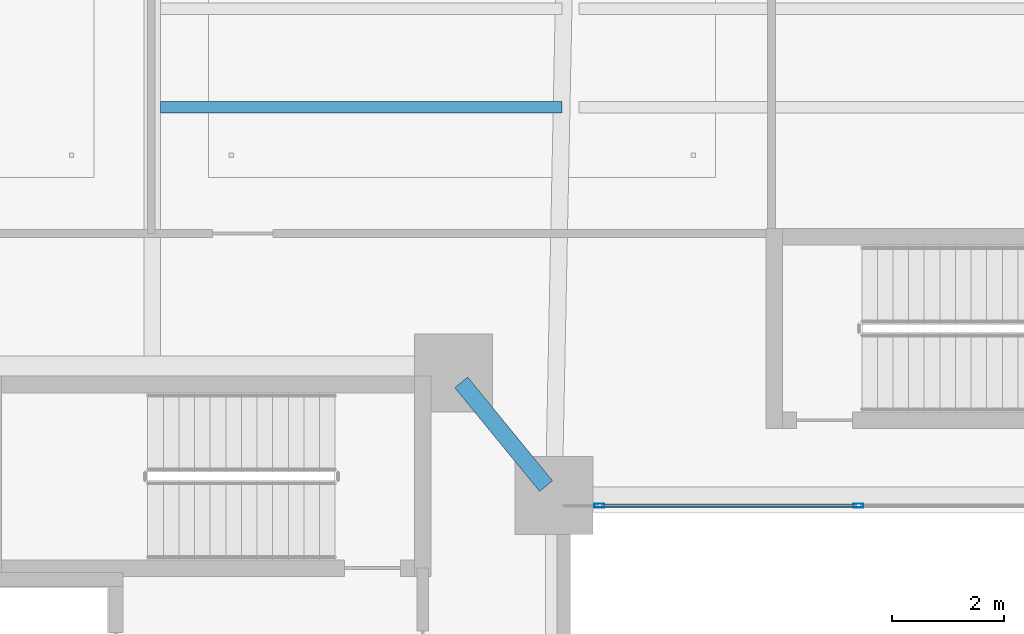
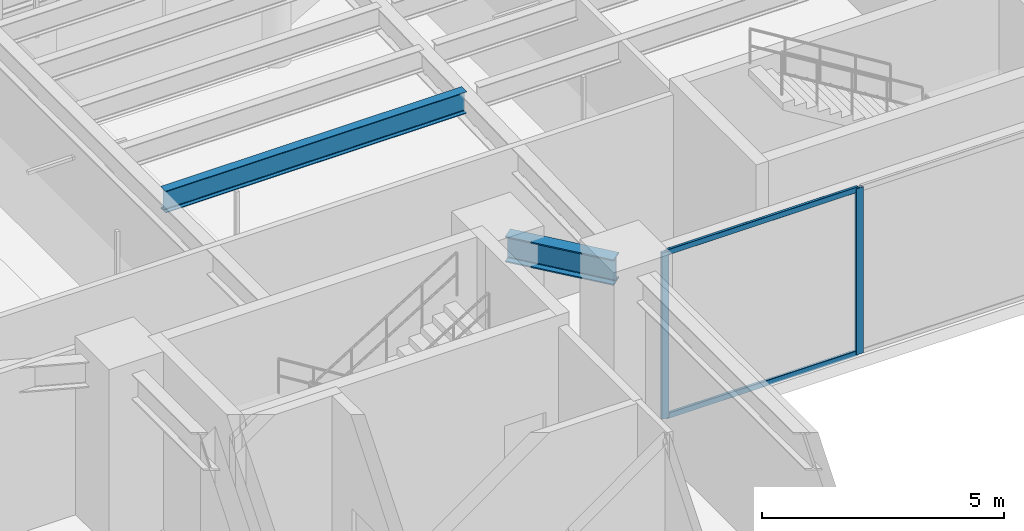
# One storey, part 20 of 39: 4 members, 2 beams, 1 element without a shape of its own.
"""IFC4 building model written with IfcOpenShell, lengths in metres."""

from ifc_helpers import new_model, si_unit, direction, frame, origin, origin_2d, place, context, subcontext, project, spatial, hollow_rectangle, i_section, extrude, material, layer, layer_set, material_profile, profile_set, type_object, element, aggregate, save


model = new_model("IFC4")

# Units and contexts
model_context = context("Model", 3, precision=1e-05, world=origin(), true_north=direction((0.0, 1.0)))
body_context = subcontext(model_context, "Body", "Model", "MODEL_VIEW")
ifc_project = project(units=[si_unit("LENGTHUNIT", "METRE"), si_unit("AREAUNIT", "SQUARE_METRE"), si_unit("VOLUMEUNIT", "CUBIC_METRE"), si_unit("PLANEANGLEUNIT", "RADIAN"), si_unit("MASSUNIT", "GRAM", prefix="KILO")], contexts=[model_context])

# Site, building, storey
site_placement = place(None, origin())
site = spatial("IfcSite", under=ifc_project, at=site_placement, CompositionType="ELEMENT")
building_placement = place(site_placement, origin())
building = spatial("IfcBuilding", under=site, at=building_placement, Name="Tarnavaz Court Tower", CompositionType="ELEMENT")
storey_placement = place(building_placement, frame((0.0, 0.0, 68.699951171875)))
storey = spatial("IfcBuildingStorey", under=building, at=storey_placement, Name="L18", CompositionType="ELEMENT", Elevation=68.699951171875)

# Beams
ifc_material_1 = material(Name="Steel S355", Category="steel")
ifc_material_profile_1 = material_profile(ifc_material_1, i_section(OverallWidth=0.300048828125, OverallDepth=0.64990234375, WebThickness=0.01611328125, FlangeThickness=0.031005859375, FilletRadius=0.027099609375, at=origin_2d()), Name="HEB 650")
ifc_profile_set_1 = profile_set([ifc_material_profile_1], Name="Steel S355")
beam_type_1 = type_object("IfcBeamType", Name="BM-G-HEB650", PredefinedType="USERDEFINED", material=ifc_profile_set_1)
beam_1_placement = place(storey_placement, frame((-9.460693359375, 9.82958984375, 3.875), z_axis=(0.633282058357, -0.773921077735, 0.0), x_axis=(0.773921077735, 0.633282058357, 0.0)))
element("IfcBeam", 1, at=beam_1_placement, inside=storey, type_object=beam_type_1, Name="L18 Beam IN-CW-NI-IW-NW", ObjectType="GIRDER", PredefinedType="USERDEFINED", context=body_context, shape_type="SweptSolid", body=[
    extrude(i_section(OverallWidth=0.300048828125, OverallDepth=0.64990234375, WebThickness=0.01611328125, FlangeThickness=0.031005859375, FilletRadius=0.027099609375, at=origin_2d()), origin(), (0.0, 0.0, 1.0), 2.402587890625),
])
ifc_material_profile_2 = material_profile(ifc_material_1, i_section(OverallWidth=0.2099609375, OverallDepth=0.550048828125, WebThickness=0.010986328125, FlangeThickness=0.01708984375, FilletRadius=0.02392578125, at=origin_2d()), Name="IPE 550")
ifc_profile_set_2 = profile_set([ifc_material_profile_2], Name="Steel S355")
beam_type_2 = type_object("IfcBeamType", Name="BM-J-IPE550", PredefinedType="JOIST", material=ifc_profile_set_2)
beam_2_placement = place(storey_placement, frame((-14.85009765625, 14.763916015625, 3.925048828125), z_axis=(1.0, 0.0, 0.0), x_axis=(0.0, 1.0, 0.0)))
element("IfcBeam", 2, at=beam_2_placement, inside=storey, type_object=beam_type_2, Name="L18 Beam JN1-1", PredefinedType="JOIST", context=body_context, shape_type="SweptSolid", body=[
    extrude(i_section(OverallWidth=0.2099609375, OverallDepth=0.550048828125, WebThickness=0.010986328125, FlangeThickness=0.01708984375, FilletRadius=0.02392578125, at=origin_2d()), origin(), (0.0, 0.0, 1.0), 7.2001953125),
])

# Curtain wall, members
ifc_material_2 = material(Name="Anodised Aluminium 6063-T6 and Solar Low-E Glazing", Category="aluminium")
ifc_layer = layer(ifc_material_2, 0.139892578125)
ifc_layer_set = layer_set([ifc_layer], Name="Anodised Aluminium 6063-T6 and Solar Low-E Glazing")
curtain_wall_type = type_object("IfcCurtainWallType", Name="CW-SYS-04", PredefinedType="NOTDEFINED", material=ifc_layer_set)
curtain_wall_placement = place(storey_placement, origin())
curtain_wall = element("IfcCurtainWall", 3, at=curtain_wall_placement, inside=storey, type_object=curtain_wall_type, Name="L18 Badgir Courtyard Curtain Wall N", PredefinedType="NOTDEFINED")
ifc_material_3 = material(Name="Anodised Aluminium 6063-T6", Category="aluminium")
ifc_material_profile_3 = material_profile(ifc_material_3, hollow_rectangle(XDim=0.074951171875, YDim=0.179931640625, WallThickness=0.0048828125, InnerFilletRadius=0.0048828125, OuterFilletRadius=0.010009765625, at=origin_2d()), Name="ALU RHS 180X75X5")
ifc_profile_set_3 = profile_set([ifc_material_profile_3], Name="Anodised Aluminium 6063-T6")
member_type_1 = type_object("IfcMemberType", Name="CW-MUL-180", PredefinedType="MULLION", material=ifc_profile_set_3)
member_1_placement = place(storey_placement, frame((-2.340087890625, 7.6201171875, 0.0), z_axis=(0.0, 0.0, 1.0), x_axis=(0.0, -1.0, 0.0)))
member_1 = element("IfcMember", 4, at=member_1_placement, type_object=member_type_1, Name="CW mullion 3", PredefinedType="MULLION", context=body_context, shape_type="SweptSolid", body=[
    extrude(hollow_rectangle(XDim=0.074951171875, YDim=0.179931640625, WallThickness=0.0048828125, InnerFilletRadius=0.0048828125, OuterFilletRadius=0.010009765625, at=origin_2d()), origin(), (0.0, 0.0, 1.0), 4.199951171875),
])
member_2_placement = place(storey_placement, frame((-6.982421875, 7.6201171875, 0.0), z_axis=(0.0, 0.0, 1.0), x_axis=(0.0, -1.0, 0.0)))
member_2 = element("IfcMember", 5, at=member_2_placement, type_object=member_type_1, Name="CW mullion 4", PredefinedType="MULLION", context=body_context, shape_type="SweptSolid", body=[
    extrude(hollow_rectangle(XDim=0.074951171875, YDim=0.179931640625, WallThickness=0.0048828125, InnerFilletRadius=0.0048828125, OuterFilletRadius=0.010009765625, at=origin_2d()), origin(), (0.0, 0.0, 1.0), 4.199951171875),
])
ifc_material_profile_4 = material_profile(ifc_material_3, hollow_rectangle(XDim=0.06494140625, YDim=0.139892578125, WallThickness=0.00390625, InnerFilletRadius=0.00390625, OuterFilletRadius=0.008056640625, at=origin_2d()), Name="ALU RHS 140X65X4")
ifc_profile_set_4 = profile_set([ifc_material_profile_4], Name="Anodised Aluminium 6063-T6")
member_type_2 = type_object("IfcMemberType", Name="CW-TRN-140", PredefinedType="USERDEFINED", material=ifc_profile_set_4)
member_3_placement = place(storey_placement, frame((-2.37744140625, 7.6201171875, 0.032470703125), z_axis=(-1.0, 0.0, 0.0), x_axis=(0.0, -1.0, 0.0)))
member_3 = element("IfcMember", 6, at=member_3_placement, type_object=member_type_2, Name="CW transom 3.1", ObjectType="TRANSOM", PredefinedType="USERDEFINED", context=body_context, shape_type="SweptSolid", body=[
    extrude(hollow_rectangle(XDim=0.06494140625, YDim=0.139892578125, WallThickness=0.00390625, InnerFilletRadius=0.00390625, OuterFilletRadius=0.008056640625, at=origin_2d()), origin(), (0.0, 0.0, 1.0), 4.567626953125),
])
member_4_placement = place(storey_placement, frame((-2.37744140625, 7.6201171875, 4.16748046875), z_axis=(-1.0, 0.0, 0.0), x_axis=(0.0, -1.0, 0.0)))
member_4 = element("IfcMember", 7, at=member_4_placement, type_object=member_type_2, Name="CW transom 3.2", ObjectType="TRANSOM", PredefinedType="USERDEFINED", context=body_context, shape_type="SweptSolid", body=[
    extrude(hollow_rectangle(XDim=0.06494140625, YDim=0.139892578125, WallThickness=0.00390625, InnerFilletRadius=0.00390625, OuterFilletRadius=0.008056640625, at=origin_2d()), origin(), (0.0, 0.0, 1.0), 4.567626953125),
])
aggregate(curtain_wall, [member_1, member_2, member_3, member_4])

save(model, "model.ifc")
